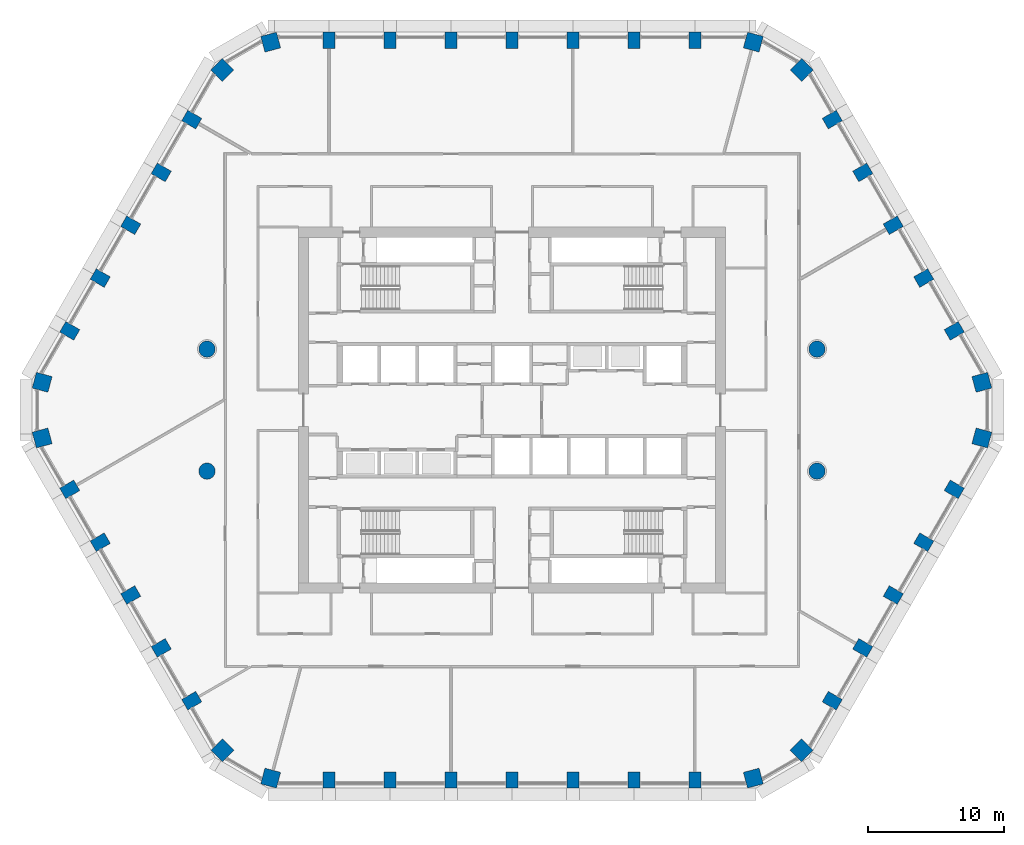
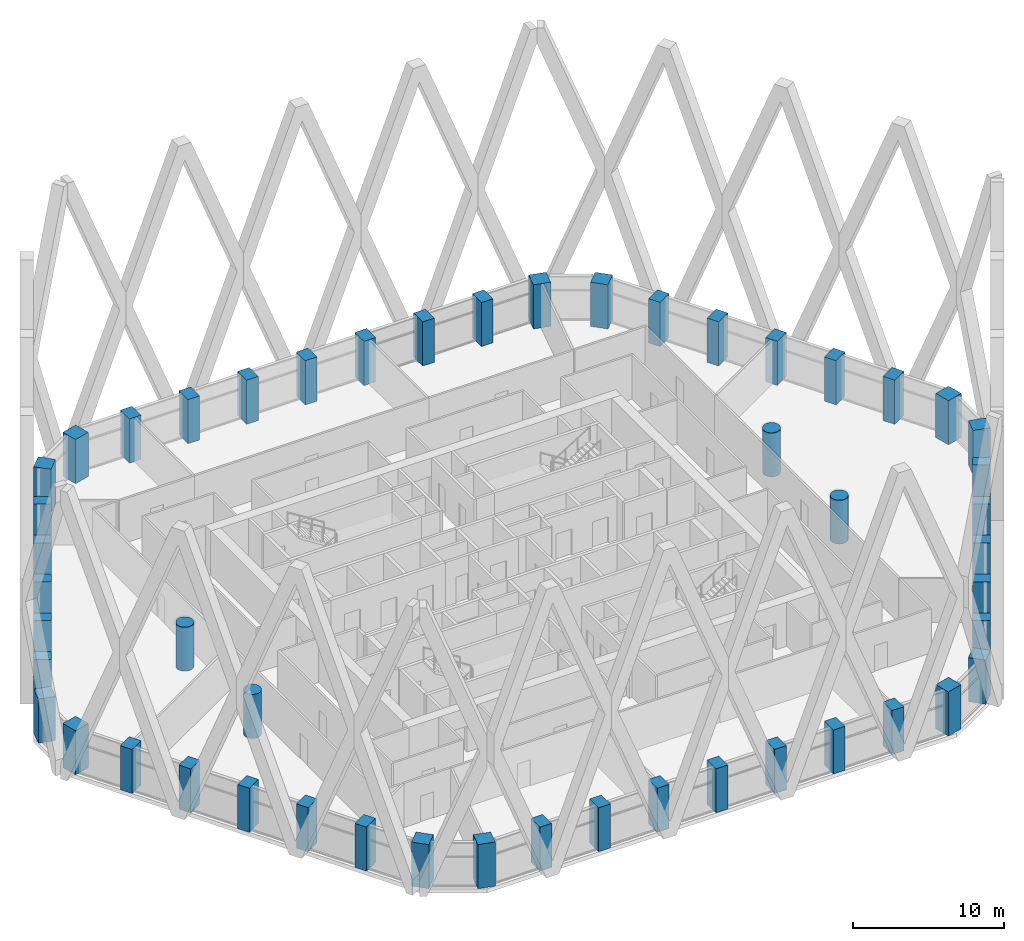
# One storey, part 1 of 24: 50 columns.
"""IFC4 building model written with IfcOpenShell, lengths in metres."""

import ifcopenshell
import ifcopenshell.guid

model = None  # the IFC model being written
_history = None  # IfcOwnerHistory: only IFC2X3 demands one
_inside = {}  # id of a spatial element -> (the spatial element, [elements in it])
_under = {}  # id of a project, library or spatial element -> (it, [spatial elements below it])
_declared = {}  # id of a project -> (the project, [libraries it declares])
_typed = {}  # id of a type object -> (the type object, [elements of that type])
_made_of = {}  # id of a material, layer set ... -> (it, [elements and type objects made of it])


def new_model(schema):
    """Start an empty IFC model of exactly this schema.

    Asked for "IFC4X3", IfcOpenShell would pick the latest addendum, in which some entities
    have other attributes; the version numbers below select the first issue.
    IFC2X3 requires an IfcOwnerHistory on every rooted entity: one is made here for all.
    """
    global model, _history
    if schema == "IFC4X3":
        model = ifcopenshell.file(schema_version=(4, 3, 0, 0))
    else:
        model = ifcopenshell.file(schema=schema)
    _inside.clear()
    _under.clear()
    _declared.clear()
    _typed.clear()
    _made_of.clear()
    _history = None
    if model.schema == "IFC2X3":
        org = make("IfcOrganization", Name="unknown")
        user = make(
            "IfcPersonAndOrganization",
            ThePerson=make("IfcPerson", FamilyName="unknown"),
            TheOrganization=org,
        )
        app = make(
            "IfcApplication",
            ApplicationDeveloper=org,
            Version="unknown",
            ApplicationFullName="unknown",
            ApplicationIdentifier="unknown",
        )
        _history = make(
            "IfcOwnerHistory",
            OwningUser=user,
            OwningApplication=app,
            ChangeAction="ADDED",
            CreationDate=0,
        )
    return model


def make(cls, **values):
    """One entity of the class cls with the attributes given. An attribute that is None is left unset."""
    return model.create_entity(
        cls, **{name: value for name, value in values.items() if value is not None}
    )


def rooted(cls, **values):
    """An entity with a GlobalId (a new one), such as an element, a storey or a relation."""
    return make(cls, GlobalId=ifcopenshell.guid.new(), OwnerHistory=_history, **values)


def si_unit(unit_type, name, prefix=None):
    """IfcSIUnit, for example si_unit("LENGTHUNIT", "METRE", prefix="MILLI")."""
    return make("IfcSIUnit", UnitType=unit_type, Prefix=prefix, Name=name)


def assignment(units):
    """IfcUnitAssignment: the units of a project."""
    return None if units is None else make("IfcUnitAssignment", Units=units)


def point(xyz):
    """IfcCartesianPoint."""
    return None if xyz is None else make("IfcCartesianPoint", Coordinates=xyz)


def direction(xyz):
    """IfcDirection."""
    return None if xyz is None else make("IfcDirection", DirectionRatios=xyz)


def frame(location, z_axis=None, x_axis=None):
    """IfcAxis2Placement3D, a coordinate frame: its origin and axes. An axis left out is left unset."""
    return make(
        "IfcAxis2Placement3D",
        Location=point(location),
        Axis=direction(z_axis),
        RefDirection=direction(x_axis),
    )


def frame_2d(location, x_axis=None):
    """IfcAxis2Placement2D, a coordinate frame in the plane: its origin and x axis."""
    return make(
        "IfcAxis2Placement2D", Location=point(location), RefDirection=direction(x_axis)
    )


def origin():
    """The frame at (0, 0, 0) with its axes left unset."""
    return frame((0.0, 0.0, 0.0))


def origin_2d():
    """The frame at (0, 0) in the plane with its x axis left unset."""
    return frame_2d((0.0, 0.0))


def place(relative_to, where):
    """IfcLocalPlacement: puts the frame where relative to a parent placement (None: the world)."""
    return make(
        "IfcLocalPlacement", PlacementRelTo=relative_to, RelativePlacement=where
    )


def context(
    kind, dimensions, precision=None, world=None, true_north=None, identifier=None
):
    """IfcGeometricRepresentationContext, for example the 3D "Model" context."""
    return make(
        "IfcGeometricRepresentationContext",
        ContextIdentifier=identifier,
        ContextType=kind,
        CoordinateSpaceDimension=dimensions,
        Precision=precision,
        WorldCoordinateSystem=world,
        TrueNorth=true_north,
    )


def subcontext(parent, identifier, kind, view, scale=None):
    """IfcGeometricRepresentationSubContext, for example "Body" below "Model"."""
    return make(
        "IfcGeometricRepresentationSubContext",
        ContextIdentifier=identifier,
        ContextType=kind,
        ParentContext=parent,
        TargetScale=scale,
        TargetView=view,
    )


def project(units=None, contexts=None):
    """IfcProject with its units and contexts."""
    return rooted(
        "IfcProject",
        Name="project",
        RepresentationContexts=contexts,
        UnitsInContext=assignment(units),
    )


def spatial(cls, under=None, at=None, **own):
    """A site, building, storey or space (cls), placed at a placement, below another one or the project."""
    s = rooted(cls, ObjectPlacement=at, **own)
    if under is not None:
        _under.setdefault(under.id(), (under, []))[1].append(s)
    return s


def profile(cls, at=None, kind="AREA", **sizes):
    """A parametric profile (cls). Its sizes go by their IFC names, for example OverallWidth=200.0."""
    return make(cls, ProfileType=kind, Position=at, **sizes)


def rectangle(**sizes):
    """IfcRectangleProfileDef."""
    return profile("IfcRectangleProfileDef", **sizes)


def circle(**sizes):
    """IfcCircleProfileDef."""
    return profile("IfcCircleProfileDef", **sizes)


def extrude(swept, where, along, depth):
    """IfcExtrudedAreaSolid: the profile swept, set in the frame where, extruded along a direction by depth."""
    return make(
        "IfcExtrudedAreaSolid",
        SweptArea=swept,
        Position=where,
        ExtrudedDirection=direction(along),
        Depth=depth,
    )


def shape(context_of_items, identifier, shape_type, items):
    """IfcShapeRepresentation: the items that make up one representation, for example the "Body"."""
    return make(
        "IfcShapeRepresentation",
        ContextOfItems=context_of_items,
        RepresentationIdentifier=identifier,
        RepresentationType=shape_type,
        Items=items,
    )


def material(Name=None, Category=None):
    """IfcMaterial."""
    return make("IfcMaterial", Name=Name, Category=Category)


def material_profile(
    of_material, cross_section, Name=None, Category=None, Priority=None
):
    """IfcMaterialProfile: a cross section and its material."""
    return make(
        "IfcMaterialProfile",
        Name=Name,
        Material=of_material,
        Profile=cross_section,
        Priority=Priority,
        Category=Category,
    )


def profile_set(profiles, Name=None, composite=None):
    """IfcMaterialProfileSet."""
    return make(
        "IfcMaterialProfileSet",
        Name=Name,
        MaterialProfiles=profiles,
        CompositeProfile=composite,
    )


def made_of(thing, what):
    """Note that an element or type object is made of a material, layer set ...; save() writes the relation."""
    if what is not None:
        _made_of.setdefault(what.id(), (what, []))[1].append(thing)
    return thing


def type_object(cls, material=None, **own):
    """A type object (cls), such as IfcWallType, which elements share."""
    return made_of(rooted(cls, **own), material)


def element(
    cls,
    number,
    at=None,
    inside=None,
    cuts=None,
    type_object=None,
    material=None,
    context=None,
    identifier="Body",
    shape_type=None,
    held_by="IfcProductDefinitionShape",
    body=None,
    shapes=None,
    **own,
):
    """One element of the class cls, such as IfcWall. Its Tag is "e" and its number.

    at: its placement. inside: the storey or other place that contains it. cuts: it is an
    opening in that element (IfcRelVoidsElement). A single representation is given by context,
    identifier, shape_type and body (its items); several are given by shapes. held_by: the class
    of the entity that holds the representations. save() writes the other relations.
    """
    e = rooted(cls, Tag="e%d" % number, ObjectPlacement=at, **own)
    if body is not None:
        shapes = [shape(context, identifier, shape_type, body)]
    if shapes is not None:
        e.Representation = make(held_by, Representations=shapes)
    if inside is not None:
        _inside.setdefault(inside.id(), (inside, []))[1].append(e)
    if cuts is not None:
        rooted(
            "IfcRelVoidsElement", RelatingBuildingElement=cuts, RelatedOpeningElement=e
        )
    if type_object is not None:
        _typed.setdefault(type_object.id(), (type_object, []))[1].append(e)
    return made_of(e, material)


def aggregate(whole, parts):
    """IfcRelAggregates: a whole, such as a stair, and the parts it consists of."""
    return rooted("IfcRelAggregates", RelatingObject=whole, RelatedObjects=parts)


def save(model, path):
    """Write the relations noted so far, then the file.

    IfcRelAggregates (storeys below a building ...), IfcRelContainedInSpatialStructure (elements
    in a storey), IfcRelDefinesByType, IfcRelAssociatesMaterial and IfcRelDeclares: one each for
    every whole, place, type object, material and project.
    """
    for whole, parts in _under.values():
        aggregate(whole, parts)
    for where, things in _inside.values():
        rooted(
            "IfcRelContainedInSpatialStructure",
            RelatedElements=things,
            RelatingStructure=where,
        )
    for kind, things in _typed.values():
        rooted("IfcRelDefinesByType", RelatedObjects=things, RelatingType=kind)
    for what, things in _made_of.values():
        rooted("IfcRelAssociatesMaterial", RelatedObjects=things, RelatingMaterial=what)
    for by, libraries in _declared.values():
        rooted("IfcRelDeclares", RelatingContext=by, RelatedDefinitions=libraries)
    model.write(path)


model = new_model("IFC4")

# Units and contexts
model_context = context("Model", 3, precision=1e-05, world=origin(), true_north=direction((0.0, 1.0)))
body_context = subcontext(model_context, "Body", "Model", "MODEL_VIEW")
ifc_project = project(units=[si_unit("LENGTHUNIT", "METRE"), si_unit("AREAUNIT", "SQUARE_METRE"), si_unit("VOLUMEUNIT", "CUBIC_METRE"), si_unit("PLANEANGLEUNIT", "RADIAN"), si_unit("MASSUNIT", "GRAM", prefix="KILO")], contexts=[model_context])

# Site, building, storey
site_placement = place(None, origin())
site = spatial("IfcSite", under=ifc_project, at=site_placement, CompositionType="ELEMENT")
building_placement = place(site_placement, origin())
building = spatial("IfcBuilding", under=site, at=building_placement, Name="Dhurran Vertical Campus", CompositionType="ELEMENT")
storey_placement = place(building_placement, frame((0.0, 0.0, 132.60009765625)))
storey = spatial("IfcBuildingStorey", under=building, at=storey_placement, Name="L32", CompositionType="ELEMENT", Elevation=132.60009765625)

# Columns
ifc_material_1 = material(Name="Concrete C60/75", Category="concrete")
ifc_material_profile_1 = material_profile(ifc_material_1, rectangle(XDim=1.199951171875, YDim=1.199951171875, at=origin_2d()), Name="RC 1200x1200")
ifc_profile_set_1 = profile_set([ifc_material_profile_1], Name="Concrete C60/75")
column_type_1 = type_object("IfcColumnType", Name="FR COL RC 1200x1200 C60/75", PredefinedType="COLUMN", material=ifc_profile_set_1)
for number, where, z_axis, x_axis, name in (
    (1, (-17.802978515625, -27.147705078125, 0.0), (0.0, 0.0, 1.0), (0.965925826289, -0.258819045103, 0.0), "Perimeter pier PP3.00"),
    (2, (17.802978515625, -27.147705078125, 0.0), (0.0, 0.0, 1.0), (0.965925826289, 0.258819045103, 0.0), "Perimeter pier PP3.08"),
    (3, (21.359130859375, -25.0947265625, 0.0), (0.0, 0.0, 1.0), (0.707106781187, 0.707106781187, 0.0), "Perimeter pier PP3.09"),
    (4, (34.662353515625, -2.052978515625, 0.0), (0.0, 0.0, 1.0), (0.258819045103, 0.965925826289, 0.0), "Perimeter pier PP3.15"),
    (5, (34.662353515625, 2.052978515625, 0.0), (0.0, 0.0, 1.0), (-0.258819045103, 0.965925826289, 0.0), "Perimeter pier PP3.16"),
    (6, (21.359130859375, 25.0947265625, 0.0), (0.0, 0.0, 1.0), (-0.707106781187, 0.707106781187, 0.0), "Perimeter pier PP3.22"),
    (7, (17.802978515625, 27.147705078125, 0.0), (0.0, 0.0, 1.0), (-0.965925826289, 0.258819045103, 0.0), "Perimeter pier PP3.23"),
    (8, (-17.802978515625, 27.147705078125, 0.0), (0.0, 0.0, 1.0), (-0.965925826289, -0.258819045103, 0.0), "Perimeter pier PP3.31"),
    (9, (-21.359130859375, 25.0947265625, 0.0), (0.0, 0.0, 1.0), (-0.707106781187, -0.707106781187, 0.0), "Perimeter pier PP3.32"),
    (10, (-34.662353515625, 2.052978515625, 0.0), (0.0, 0.0, 1.0), (-0.258819045103, -0.965925826289, 0.0), "Perimeter pier PP3.38"),
    (11, (-34.662353515625, -2.052978515625, 0.0), (0.0, 0.0, 1.0), (0.258819045103, -0.965925826289, 0.0), "Perimeter pier PP3.39"),
    (12, (-21.359130859375, -25.0947265625, 0.0), (0.0, 0.0, 1.0), (0.707106781187, -0.707106781187, 0.0), "Perimeter pier PP3.45"),
):
    element("IfcColumn", number, at=place(storey_placement, frame(where, z_axis=z_axis, x_axis=x_axis)), inside=storey, type_object=column_type_1, Name=name, PredefinedType="COLUMN", context=body_context, shape_type="SweptSolid", body=[
        extrude(rectangle(XDim=1.199951171875, YDim=1.199951171875, at=origin_2d()), origin(), (0.0, 0.0, 1.0), 3.574951171875),
    ])
ifc_material_2 = material(Name="Concrete C60/75", Category="concrete")
ifc_material_profile_2 = material_profile(ifc_material_2, rectangle(XDim=0.89990234375, YDim=1.199951171875, at=origin_2d()), Name="RC 900x1200")
ifc_profile_set_2 = profile_set([ifc_material_profile_2], Name="Concrete C60/75")
column_type_2 = type_object("IfcColumnType", Name="FR COL RC 900x1200 C60/75", PredefinedType="COLUMN", material=ifc_profile_set_2)
for number, where, z_axis, x_axis, name in (
    (13, (-13.5, -27.28271484375, 0.0), (0.0, 0.0, 1.0), (1.0, 0.0, 0.0), "Perimeter pier PP3.01"),
    (14, (-9.0, -27.28271484375, 0.0), (0.0, 0.0, 1.0), (1.0, 0.0, 0.0), "Perimeter pier PP3.02"),
    (15, (-4.5, -27.28271484375, 0.0), (0.0, 0.0, 1.0), (1.0, 0.0, 0.0), "Perimeter pier PP3.03"),
    (16, (0.0, -27.28271484375, 0.0), (0.0, 0.0, 1.0), (1.0, 0.0, 0.0), "Perimeter pier PP3.04"),
    (17, (4.5, -27.28271484375, 0.0), (0.0, 0.0, 1.0), (1.0, 0.0, 0.0), "Perimeter pier PP3.05"),
    (18, (9.0, -27.28271484375, 0.0), (0.0, 0.0, 1.0), (1.0, 0.0, 0.0), "Perimeter pier PP3.06"),
    (19, (13.5, -27.28271484375, 0.0), (0.0, 0.0, 1.0), (1.0, 0.0, 0.0), "Perimeter pier PP3.07"),
    (20, (23.62744140625, -21.435546875, 0.0), (0.0, 0.0, 1.0), (0.5, 0.866025403784, 0.0), "Perimeter pier PP3.10"),
    (21, (25.87744140625, -17.53857421875, 0.0), (0.0, 0.0, 1.0), (0.5, 0.866025403784, 0.0), "Perimeter pier PP3.11"),
    (22, (28.12744140625, -13.641357421875, 0.0), (0.0, 0.0, 1.0), (0.5, 0.866025403784, 0.0), "Perimeter pier PP3.12"),
    (23, (30.37744140625, -9.744140625, 0.0), (0.0, 0.0, 1.0), (0.5, 0.866025403784, 0.0), "Perimeter pier PP3.13"),
    (24, (32.62744140625, -5.84716796875, 0.0), (0.0, 0.0, 1.0), (0.5, 0.866025403784, 0.0), "Perimeter pier PP3.14"),
    (25, (32.62744140625, 5.84716796875, 0.0), (0.0, 0.0, 1.0), (-0.5, 0.866025403784, 0.0), "Perimeter pier PP3.17"),
    (26, (30.37744140625, 9.744140625, 0.0), (0.0, 0.0, 1.0), (-0.5, 0.866025403784, 0.0), "Perimeter pier PP3.18"),
    (27, (28.12744140625, 13.641357421875, 0.0), (0.0, 0.0, 1.0), (-0.5, 0.866025403784, 0.0), "Perimeter pier PP3.19"),
    (28, (25.87744140625, 17.53857421875, 0.0), (0.0, 0.0, 1.0), (-0.5, 0.866025403784, 0.0), "Perimeter pier PP3.20"),
    (29, (23.62744140625, 21.435546875, 0.0), (0.0, 0.0, 1.0), (-0.5, 0.866025403784, 0.0), "Perimeter pier PP3.21"),
    (30, (13.5, 27.28271484375, 0.0), (0.0, 0.0, 1.0), (-1.0, 0.0, 0.0), "Perimeter pier PP3.24"),
    (31, (9.0, 27.28271484375, 0.0), (0.0, 0.0, 1.0), (-1.0, 0.0, 0.0), "Perimeter pier PP3.25"),
    (32, (4.5, 27.28271484375, 0.0), (0.0, 0.0, 1.0), (-1.0, 0.0, 0.0), "Perimeter pier PP3.26"),
    (33, (0.0, 27.28271484375, 0.0), (0.0, 0.0, 1.0), (-1.0, 0.0, 0.0), "Perimeter pier PP3.27"),
    (34, (-4.5, 27.28271484375, 0.0), (0.0, 0.0, 1.0), (-1.0, 0.0, 0.0), "Perimeter pier PP3.28"),
    (35, (-9.0, 27.28271484375, 0.0), (0.0, 0.0, 1.0), (-1.0, 0.0, 0.0), "Perimeter pier PP3.29"),
    (36, (-13.5, 27.28271484375, 0.0), (0.0, 0.0, 1.0), (-1.0, 0.0, 0.0), "Perimeter pier PP3.30"),
    (37, (-23.62744140625, 21.435546875, 0.0), (0.0, 0.0, 1.0), (-0.5, -0.866025403784, 0.0), "Perimeter pier PP3.33"),
    (38, (-25.87744140625, 17.53857421875, 0.0), (0.0, 0.0, 1.0), (-0.5, -0.866025403784, 0.0), "Perimeter pier PP3.34"),
    (39, (-28.12744140625, 13.641357421875, 0.0), (0.0, 0.0, 1.0), (-0.5, -0.866025403784, 0.0), "Perimeter pier PP3.35"),
    (40, (-30.37744140625, 9.744140625, 0.0), (0.0, 0.0, 1.0), (-0.5, -0.866025403784, 0.0), "Perimeter pier PP3.36"),
    (41, (-32.62744140625, 5.84716796875, 0.0), (0.0, 0.0, 1.0), (-0.5, -0.866025403784, 0.0), "Perimeter pier PP3.37"),
    (42, (-32.62744140625, -5.84716796875, 0.0), (0.0, 0.0, 1.0), (0.5, -0.866025403784, 0.0), "Perimeter pier PP3.40"),
    (43, (-30.37744140625, -9.744140625, 0.0), (0.0, 0.0, 1.0), (0.5, -0.866025403784, 0.0), "Perimeter pier PP3.41"),
    (44, (-28.12744140625, -13.641357421875, 0.0), (0.0, 0.0, 1.0), (0.5, -0.866025403784, 0.0), "Perimeter pier PP3.42"),
    (45, (-25.87744140625, -17.53857421875, 0.0), (0.0, 0.0, 1.0), (0.5, -0.866025403784, 0.0), "Perimeter pier PP3.43"),
    (46, (-23.62744140625, -21.435546875, 0.0), (0.0, 0.0, 1.0), (0.5, -0.866025403784, 0.0), "Perimeter pier PP3.44"),
):
    element("IfcColumn", number, at=place(storey_placement, frame(where, z_axis=z_axis, x_axis=x_axis)), inside=storey, type_object=column_type_2, Name=name, PredefinedType="COLUMN", context=body_context, shape_type="SweptSolid", body=[
        extrude(rectangle(XDim=0.89990234375, YDim=1.199951171875, at=origin_2d()), origin(), (0.0, 0.0, 1.0), 3.574951171875),
    ])
ifc_material_3 = material(Name="Concrete C60/75", Category="concrete")
ifc_material_profile_3 = material_profile(ifc_material_3, circle(Radius=0.60009765625, at=origin_2d()), Name="RCC D1200")
ifc_profile_set_3 = profile_set([ifc_material_profile_3], Name="Concrete C60/75")
column_type_3 = type_object("IfcColumnType", Name="FR COL RCC D1200 C60/75", PredefinedType="COLUMN", material=ifc_profile_set_3)
for number, where, z_axis, x_axis, name in (
    (47, (-22.5, -4.5, 0.0), (0.0, 0.0, 1.0), (1.0, 0.0, 0.0), "Inner column IC3-D5"),
    (48, (-22.5, 4.5, 0.0), (0.0, 0.0, 1.0), (1.0, 0.0, 0.0), "Inner column IC3-D6"),
    (49, (22.5, -4.5, 0.0), (0.0, 0.0, 1.0), (1.0, 0.0, 0.0), "Inner column IC3-J5"),
    (50, (22.5, 4.5, 0.0), (0.0, 0.0, 1.0), (1.0, 0.0, 0.0), "Inner column IC3-J6"),
):
    element("IfcColumn", number, at=place(storey_placement, frame(where, z_axis=z_axis, x_axis=x_axis)), inside=storey, type_object=column_type_3, Name=name, PredefinedType="COLUMN", context=body_context, shape_type="SweptSolid", body=[
        extrude(circle(Radius=0.60009765625, at=origin_2d()), origin(), (0.0, 0.0, 1.0), 3.574951171875),
    ])

save(model, "model.ifc")
